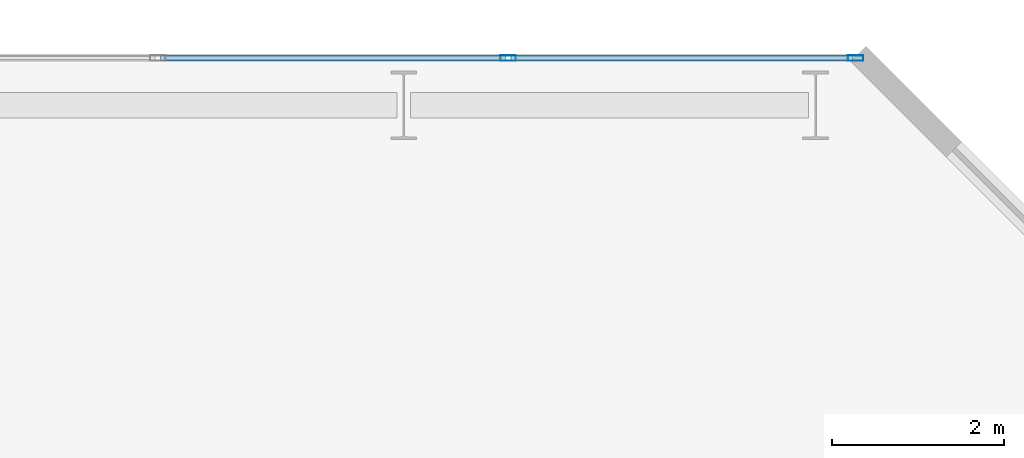
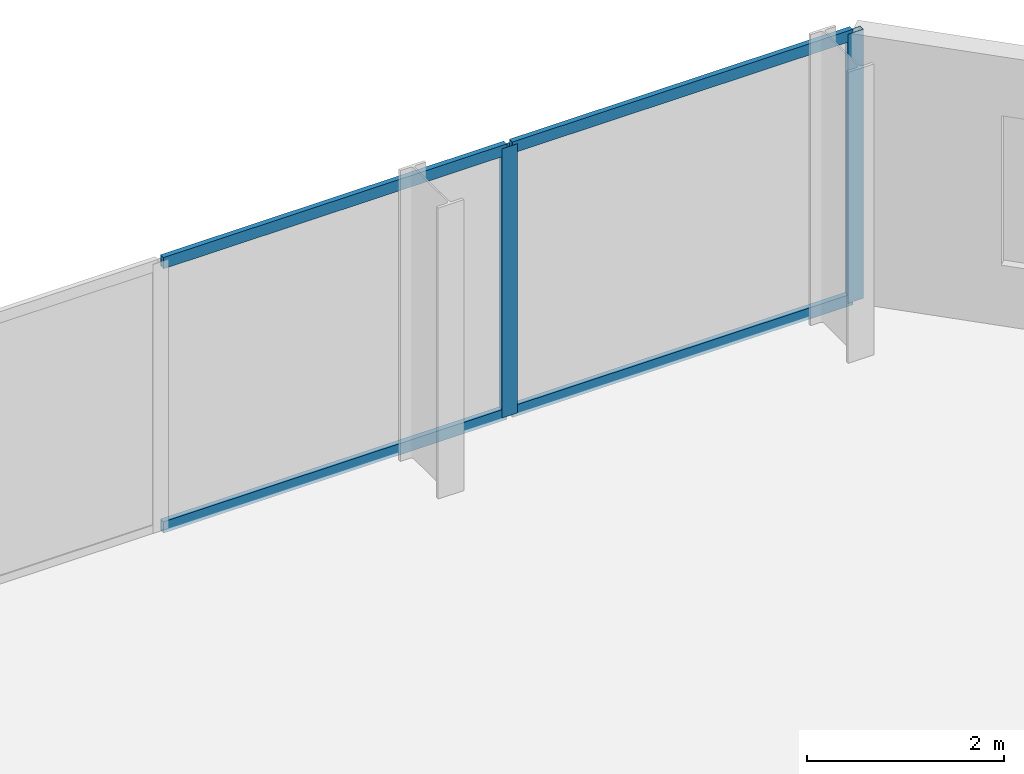
# One storey, part 27 of 33: 6 members, 1 element without a shape of its own.
"""IFC4 building model written with IfcOpenShell, lengths in metres."""

from ifc_helpers import new_model, si_unit, direction, frame, origin, origin_2d, place, context, subcontext, project, spatial, hollow_rectangle, extrude, material, layer, layer_set, material_profile, profile_set, type_object, element, aggregate, save


model = new_model("IFC4")

# Units and contexts
model_context = context("Model", 3, precision=1e-05, world=origin(), true_north=direction((0.0, 1.0)))
body_context = subcontext(model_context, "Body", "Model", "MODEL_VIEW")
ifc_project = project(units=[si_unit("LENGTHUNIT", "METRE"), si_unit("AREAUNIT", "SQUARE_METRE"), si_unit("VOLUMEUNIT", "CUBIC_METRE"), si_unit("PLANEANGLEUNIT", "RADIAN"), si_unit("MASSUNIT", "GRAM", prefix="KILO")], contexts=[model_context])

# Site, building, storey
site_placement = place(None, origin())
site = spatial("IfcSite", under=ifc_project, at=site_placement, CompositionType="ELEMENT")
building_placement = place(site_placement, origin())
building = spatial("IfcBuilding", under=site, at=building_placement, Name="Catumbela Crestline Tower", CompositionType="ELEMENT")
storey_placement = place(building_placement, frame((0.0, 0.0, 51.0)))
storey = spatial("IfcBuildingStorey", under=building, at=storey_placement, Name="L12", CompositionType="ELEMENT", Elevation=51.0)

# Curtain wall, members
ifc_material = material(Name="Aluminium alloy AW-6060-T66", Category="aluminium")
ifc_layer = layer(ifc_material, 0.18, Name="Aluminium alloy AW-6060-T66")
ifc_layer_set = layer_set([ifc_layer], Name="Aluminium alloy AW-6060-T66")
curtain_wall_type = type_object("IfcCurtainWallType", Name="CWU-Z1", PredefinedType="USERDEFINED", material=ifc_layer_set)
curtain_wall_placement = place(storey_placement, origin())
curtain_wall = element("IfcCurtainWall", 1, at=curtain_wall_placement, inside=storey, type_object=curtain_wall_type, Name="L12 Unitised Curtain Wall CW-L12-E7S1", ObjectType="UNITISED", PredefinedType="USERDEFINED")
ifc_material_profile_1 = material_profile(ifc_material, hollow_rectangle(XDim=0.065, YDim=0.18, WallThickness=0.004, at=origin_2d()), Name="ALU 180x65x4")
ifc_profile_set_1 = profile_set([ifc_material_profile_1], Name="Aluminium alloy AW-6060-T66")
member_type_1 = type_object("IfcMemberType", Name="MUL-180X65", PredefinedType="MULLION", material=ifc_profile_set_1)
member_1_placement = place(storey_placement, frame((52.4675, 47.95, 0.0), z_axis=(0.0, 0.0, 1.0), x_axis=(0.0, -1.0, 0.0)))
member_1 = element("IfcMember", 2, at=member_1_placement, type_object=member_type_1, Name="CWU-Z1 mullion 1", PredefinedType="MULLION", context=body_context, shape_type="SweptSolid", body=[
    extrude(hollow_rectangle(XDim=0.065, YDim=0.18, WallThickness=0.004, at=origin_2d()), origin(), (0.0, 0.0, 1.0), 3.33),
])
member_2_placement = place(storey_placement, frame((48.4167, 47.95, 0.0), z_axis=(0.0, 0.0, 1.0), x_axis=(0.0, -1.0, 0.0)))
member_2 = element("IfcMember", 3, at=member_2_placement, type_object=member_type_1, Name="CWU-Z1 mullion 2", PredefinedType="MULLION", context=body_context, shape_type="SweptSolid", body=[
    extrude(hollow_rectangle(XDim=0.065, YDim=0.18, WallThickness=0.004, at=origin_2d()), origin(), (0.0, 0.0, 1.0), 3.33),
])
ifc_material_profile_2 = material_profile(ifc_material, hollow_rectangle(XDim=0.06, YDim=0.14, WallThickness=0.004, at=origin_2d()), Name="ALU 140x60x4")
ifc_profile_set_2 = profile_set([ifc_material_profile_2], Name="Aluminium alloy AW-6060-T66")
member_type_2 = type_object("IfcMemberType", Name="TRN-140X60", PredefinedType="USERDEFINED", material=ifc_profile_set_2)
member_3_placement = place(storey_placement, frame((52.435, 47.95, 0.03), z_axis=(-1.0, 0.0, 0.0), x_axis=(0.0, -1.0, 0.0)))
member_3 = element("IfcMember", 4, at=member_3_placement, type_object=member_type_2, Name="CWU-Z1 transom 1.1", ObjectType="TRANSOM", PredefinedType="USERDEFINED", context=body_context, shape_type="SweptSolid", body=[
    extrude(hollow_rectangle(XDim=0.06, YDim=0.14, WallThickness=0.004, at=origin_2d()), origin(), (0.0, 0.0, 1.0), 3.9858),
])
member_4_placement = place(storey_placement, frame((52.435, 47.95, 3.3), z_axis=(-1.0, 0.0, 0.0), x_axis=(0.0, -1.0, 0.0)))
member_4 = element("IfcMember", 5, at=member_4_placement, type_object=member_type_2, Name="CWU-Z1 transom 1.2", ObjectType="TRANSOM", PredefinedType="USERDEFINED", context=body_context, shape_type="SweptSolid", body=[
    extrude(hollow_rectangle(XDim=0.06, YDim=0.14, WallThickness=0.004, at=origin_2d()), origin(), (0.0, 0.0, 1.0), 3.9858),
])
member_5_placement = place(storey_placement, frame((48.3842, 47.95, 0.03), z_axis=(-1.0, 0.0, 0.0), x_axis=(0.0, -1.0, 0.0)))
member_5 = element("IfcMember", 6, at=member_5_placement, type_object=member_type_2, Name="CWU-Z1 transom 2.1", ObjectType="TRANSOM", PredefinedType="USERDEFINED", context=body_context, shape_type="SweptSolid", body=[
    extrude(hollow_rectangle(XDim=0.06, YDim=0.14, WallThickness=0.004, at=origin_2d()), origin(), (0.0, 0.0, 1.0), 4.0184),
])
member_6_placement = place(storey_placement, frame((48.3842, 47.95, 3.3), z_axis=(-1.0, 0.0, 0.0), x_axis=(0.0, -1.0, 0.0)))
member_6 = element("IfcMember", 7, at=member_6_placement, type_object=member_type_2, Name="CWU-Z1 transom 2.2", ObjectType="TRANSOM", PredefinedType="USERDEFINED", context=body_context, shape_type="SweptSolid", body=[
    extrude(hollow_rectangle(XDim=0.06, YDim=0.14, WallThickness=0.004, at=origin_2d()), origin(), (0.0, 0.0, 1.0), 4.0184),
])
aggregate(curtain_wall, [member_1, member_2, member_3, member_4, member_5, member_6])

save(model, "model.ifc")
